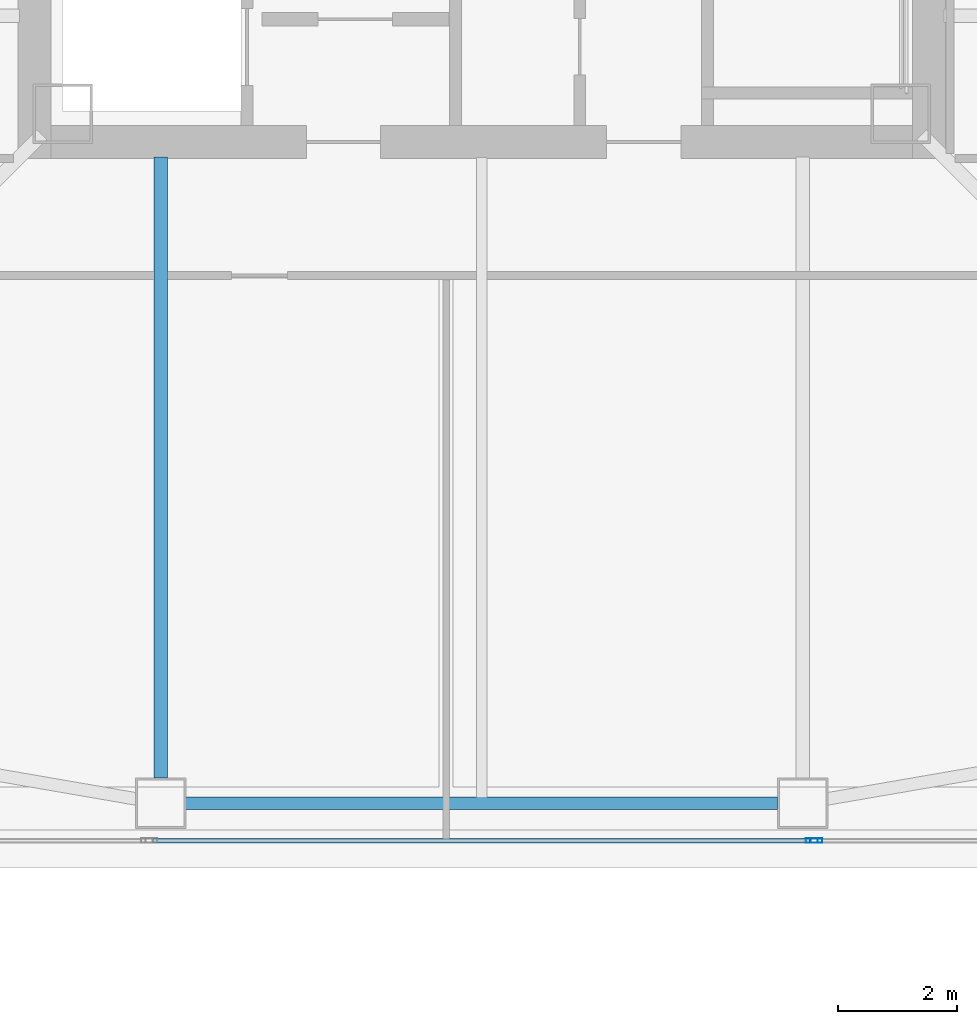
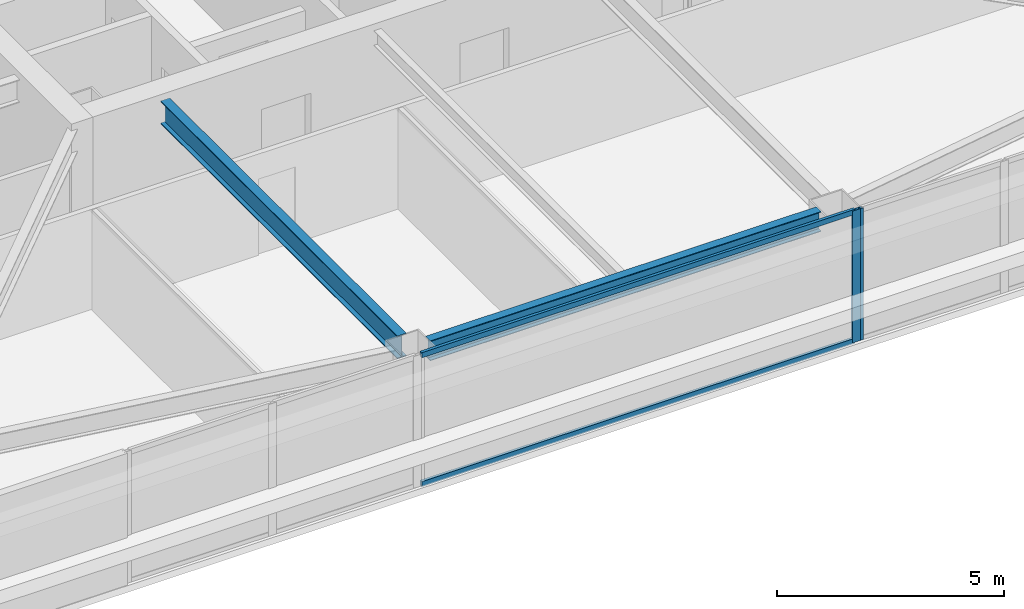
# One storey, part 5 of 44: 4 members, 2 beams, 2 elements without a shape of their own.
"""IFC4 building model written with IfcOpenShell, lengths in metres."""

from ifc_helpers import new_model, si_unit, direction, frame, origin, origin_2d, place, context, subcontext, project, spatial, hollow_rectangle, i_section, extrude, material, material_profile, profile_set, type_object, element, aggregate, save


model = new_model("IFC4")

# Units and contexts
model_context = context("Model", 3, precision=1e-05, world=origin(), true_north=direction((0.0, 1.0)))
body_context = subcontext(model_context, "Body", "Model", "MODEL_VIEW")
ifc_project = project(units=[si_unit("LENGTHUNIT", "METRE"), si_unit("AREAUNIT", "SQUARE_METRE"), si_unit("VOLUMEUNIT", "CUBIC_METRE"), si_unit("PLANEANGLEUNIT", "RADIAN"), si_unit("MASSUNIT", "GRAM", prefix="KILO")], contexts=[model_context])

# Site, building, storey
site_placement = place(None, origin())
site = spatial("IfcSite", under=ifc_project, at=site_placement, CompositionType="ELEMENT")
building_placement = place(site_placement, origin())
building = spatial("IfcBuilding", under=site, at=building_placement, Name="Tashvorn Skyway Center", CompositionType="ELEMENT")
storey_placement = place(building_placement, frame((0.0, 0.0, 149.89990234375)))
storey = spatial("IfcBuildingStorey", under=building, at=storey_placement, Name="L40", CompositionType="ELEMENT", Elevation=149.89990234375)

# Beams
ifc_material_1 = material(Name="Steel ASTM A992 Grade 50", Category="steel")
ifc_material_profile_1 = material_profile(ifc_material_1, i_section(OverallWidth=0.22998046875, OverallDepth=0.616943359375, WebThickness=0.01318359375, FlangeThickness=0.022216796875, at=origin_2d()), Name="W24X94")
ifc_profile_set_1 = profile_set([ifc_material_profile_1], Name="Steel ASTM A992 Grade 50")
beam_type_1 = type_object("IfcBeamType", Name="BM-BEAM-W24X94", PredefinedType="BEAM", material=ifc_profile_set_1)
beam_1_placement = place(storey_placement, frame((36.60009765625, 13.77001953125, 3.0615234375), z_axis=(0.0, 1.0, 0.0), x_axis=(-1.0, 0.0, 0.0)))
element("IfcBeam", 1, at=beam_1_placement, inside=storey, type_object=beam_type_1, Name="Tower 1 L40 Primary Floor Girder FC-S1", PredefinedType="BEAM", context=body_context, shape_type="SweptSolid", body=[
    extrude(i_section(OverallWidth=0.22998046875, OverallDepth=0.616943359375, WebThickness=0.01318359375, FlangeThickness=0.022216796875, at=origin_2d()), origin(), (0.0, 0.0, 1.0), 10.449951171875),
])
ifc_material_profile_2 = material_profile(ifc_material_1, i_section(OverallWidth=0.2109375, OverallDepth=0.5390625, WebThickness=0.01171875, FlangeThickness=0.018798828125, at=origin_2d()), Name="W21X73")
ifc_profile_set_2 = profile_set([ifc_material_profile_2], Name="Steel ASTM A992 Grade 50")
beam_type_2 = type_object("IfcBeamType", Name="BM-SPANDREL-W21X73", PredefinedType="SPANDREL", material=ifc_profile_set_2)
beam_2_placement = place(storey_placement, frame((37.02001953125, 13.35009765625, 3.1005859375), z_axis=(1.0, 0.0, 0.0), x_axis=(0.0, 1.0, 0.0)))
element("IfcBeam", 2, at=beam_2_placement, inside=storey, type_object=beam_type_2, Name="Tower 1 L40 Spandrel Beam 02", PredefinedType="SPANDREL", context=body_context, shape_type="SweptSolid", body=[
    extrude(i_section(OverallWidth=0.2109375, OverallDepth=0.5390625, WebThickness=0.01171875, FlangeThickness=0.018798828125, at=origin_2d()), origin(), (0.0, 0.0, 1.0), 9.9599609375),
])

# Curtain wall, member
ifc_material_2 = material(Name="Thermally broken bronze-anodized aluminium 6063-T6", Category="aluminium")
curtain_wall_type = type_object("IfcCurtainWallType", Name="CW-CW-Z3", PredefinedType="NOTDEFINED", material=ifc_material_2)
curtain_wall_1_placement = place(storey_placement, origin())
curtain_wall_1 = element("IfcCurtainWall", 3, at=curtain_wall_1_placement, inside=storey, type_object=curtain_wall_type, Name="Tower 1 L40 South Unitised Curtain Wall Glazing Group 1", PredefinedType="NOTDEFINED")
ifc_material_profile_3 = material_profile(ifc_material_2, hollow_rectangle(XDim=0.074951171875, YDim=0.199951171875, WallThickness=0.00439453125, at=origin_2d()), Name="ALU-MULL-75x200")
ifc_profile_set_3 = profile_set([ifc_material_profile_3], Name="Thermally broken bronze-anodized aluminium 6063-T6")
member_type_1 = type_object("IfcMemberType", Name="CWM-CW-Z3", PredefinedType="MULLION", material=ifc_profile_set_3)
member_1_placement = place(storey_placement, frame((47.630859375, 12.719970703125, 0.0), z_axis=(0.0, 0.0, 1.0), x_axis=(0.0, -1.0, 0.0)))
member_1 = element("IfcMember", 4, at=member_1_placement, type_object=member_type_1, Name="CW-Z3 mullion 3", PredefinedType="MULLION", context=body_context, shape_type="SweptSolid", body=[
    extrude(hollow_rectangle(XDim=0.074951171875, YDim=0.199951171875, WallThickness=0.00439453125, at=origin_2d()), origin(), (0.0, 0.0, 1.0), 3.550048828125),
])
aggregate(curtain_wall_1, [member_1])

# Curtain wall, members
curtain_wall_2_placement = place(storey_placement, origin())
curtain_wall_2 = element("IfcCurtainWall", 5, at=curtain_wall_2_placement, inside=storey, type_object=curtain_wall_type, Name="Tower 1 L40 South Unitised Curtain Wall Glazing Group 2", PredefinedType="NOTDEFINED")
member_2_placement = place(storey_placement, frame((47.555908203125, 12.719970703125, 0.0), z_axis=(0.0, 0.0, 1.0), x_axis=(0.0, -1.0, 0.0)))
member_2 = element("IfcMember", 6, at=member_2_placement, type_object=member_type_1, Name="CW-Z3 mullion 1", PredefinedType="MULLION", context=body_context, shape_type="SweptSolid", body=[
    extrude(hollow_rectangle(XDim=0.074951171875, YDim=0.199951171875, WallThickness=0.00439453125, at=origin_2d()), origin(), (0.0, 0.0, 1.0), 3.550048828125),
])
ifc_material_profile_4 = material_profile(ifc_material_2, hollow_rectangle(XDim=0.074951171875, YDim=0.139892578125, WallThickness=0.004150390625, at=origin_2d()), Name="ALU-TRAN-75x140")
ifc_profile_set_4 = profile_set([ifc_material_profile_4], Name="Thermally broken bronze-anodized aluminium 6063-T6")
member_type_2 = type_object("IfcMemberType", Name="CWT-CW-Z3", PredefinedType="USERDEFINED", material=ifc_profile_set_4)
member_3_placement = place(storey_placement, frame((47.518310546875, 12.719970703125, 0.03759765625), z_axis=(-1.0, 0.0, 0.0), x_axis=(0.0, -1.0, 0.0)))
member_3 = element("IfcMember", 7, at=member_3_placement, type_object=member_type_2, Name="CW-Z3 transom 1.1", ObjectType="TRANSOM", PredefinedType="USERDEFINED", context=body_context, shape_type="SweptSolid", body=[
    extrude(hollow_rectangle(XDim=0.074951171875, YDim=0.139892578125, WallThickness=0.004150390625, at=origin_2d()), origin(), (0.0, 0.0, 1.0), 11.03662109375),
])
member_4_placement = place(storey_placement, frame((47.518310546875, 12.719970703125, 3.5126953125), z_axis=(-1.0, 0.0, 0.0), x_axis=(0.0, -1.0, 0.0)))
member_4 = element("IfcMember", 8, at=member_4_placement, type_object=member_type_2, Name="CW-Z3 transom 1.2", ObjectType="TRANSOM", PredefinedType="USERDEFINED", context=body_context, shape_type="SweptSolid", body=[
    extrude(hollow_rectangle(XDim=0.074951171875, YDim=0.139892578125, WallThickness=0.004150390625, at=origin_2d()), origin(), (0.0, 0.0, 1.0), 11.03662109375),
])
aggregate(curtain_wall_2, [member_2, member_3, member_4])

save(model, "model.ifc")
